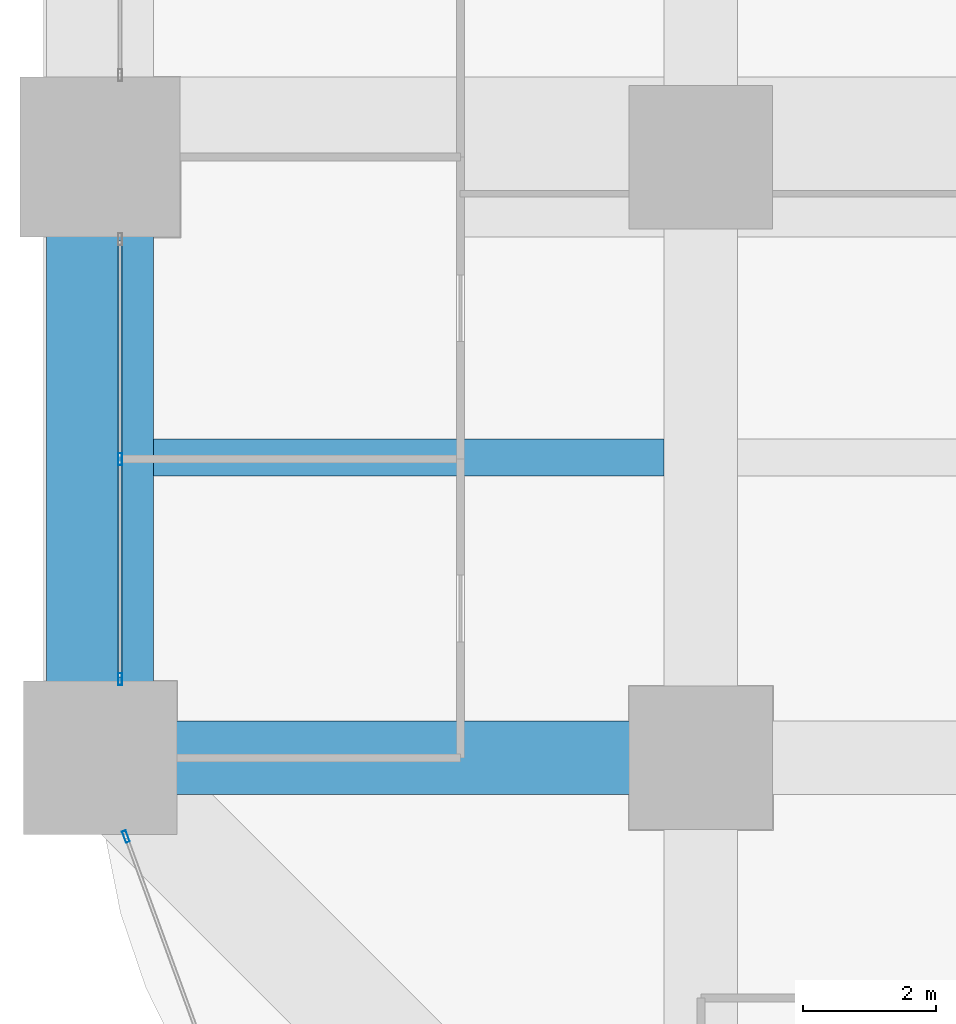
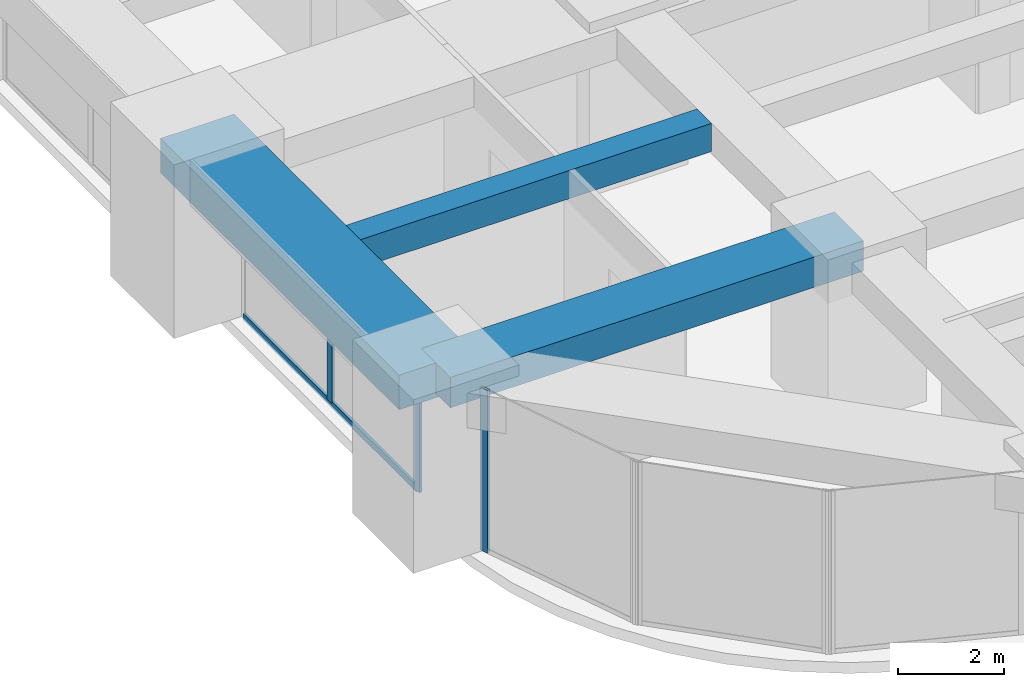
# One storey, part 4 of 45: 4 members, 3 beams, 2 elements without a shape of their own.
"""IFC4 building model written with IfcOpenShell, lengths in metres."""

from ifc_helpers import new_model, si_unit, direction, frame, origin, origin_2d, place, context, subcontext, project, spatial, rectangle, hollow_rectangle, extrude, material, material_profile, profile_set, type_object, element, aggregate, save


model = new_model("IFC4")

# Units and contexts
model_context = context("Model", 3, precision=1e-05, world=origin(), true_north=direction((0.0, 1.0)))
body_context = subcontext(model_context, "Body", "Model", "MODEL_VIEW")
ifc_project = project(units=[si_unit("LENGTHUNIT", "METRE"), si_unit("AREAUNIT", "SQUARE_METRE"), si_unit("VOLUMEUNIT", "CUBIC_METRE"), si_unit("PLANEANGLEUNIT", "RADIAN"), si_unit("MASSUNIT", "GRAM", prefix="KILO")], contexts=[model_context])

# Site, building, storey
site_placement = place(None, origin())
site = spatial("IfcSite", under=ifc_project, at=site_placement, CompositionType="ELEMENT")
building_placement = place(site_placement, origin())
building = spatial("IfcBuilding", under=site, at=building_placement, Name="Zorevar Civic Tower", CompositionType="ELEMENT")
storey_placement = place(building_placement, frame((0.0, 0.0, 71.800048828125)))
storey = spatial("IfcBuildingStorey", under=building, at=storey_placement, Name="L17", CompositionType="ELEMENT", Elevation=71.800048828125)

# Beams
ifc_material_1 = material(Name="Concrete C50/60", Category="concrete")
ifc_material_profile_1 = material_profile(ifc_material_1, rectangle(XDim=1.10009765625, YDim=0.699951171875, at=origin_2d()), Name="RC 1100x700")
ifc_profile_set_1 = profile_set([ifc_material_profile_1], Name="Concrete C50/60")
beam_type_1 = type_object("IfcBeamType", Name="Beam RC 1100x700", PredefinedType="BEAM", material=ifc_profile_set_1)
beam_1_placement = place(storey_placement, frame((0.0, 9.0, 3.39990234375), z_axis=(1.0, 0.0, 0.0), x_axis=(0.0, 1.0, 0.0)))
element("IfcBeam", 1, at=beam_1_placement, inside=storey, type_object=beam_type_1, Name="Girder L18", PredefinedType="BEAM", context=body_context, shape_type="SweptSolid", body=[
    extrude(rectangle(XDim=1.10009765625, YDim=0.699951171875, at=origin_2d()), origin(), (0.0, 0.0, 1.0), 9.0),
])
ifc_material_2 = material(Name="Concrete C50/60", Category="concrete")
ifc_material_profile_2 = material_profile(ifc_material_2, rectangle(XDim=0.550048828125, YDim=0.64990234375, at=origin_2d()), Name="RC 550x650")
ifc_profile_set_2 = profile_set([ifc_material_profile_2], Name="Concrete C50/60")
beam_type_2 = type_object("IfcBeamType", Name="Beam RC 550x650", PredefinedType="BEAM", material=ifc_profile_set_2)
beam_2_placement = place(storey_placement, frame((0.800048828125, 13.5, 3.425048828125), z_axis=(1.0, 0.0, 0.0), x_axis=(0.0, 1.0, 0.0)))
element("IfcBeam", 2, at=beam_2_placement, inside=storey, type_object=beam_type_2, Name="Secondary beam L18", PredefinedType="BEAM", context=body_context, shape_type="SweptSolid", body=[
    extrude(rectangle(XDim=0.550048828125, YDim=0.64990234375, at=origin_2d()), origin(), (0.0, 0.0, 1.0), 7.64990234375),
])

# Curtain wall, members
ifc_material_3 = material(Name="Dark grey solar-control glass in black aluminium frame", Category="aluminium")
curtain_wall_type = type_object("IfcCurtainWallType", Name="Curtain wall CW2 low zone", PredefinedType="NOTDEFINED", material=ifc_material_3)
curtain_wall_1_placement = place(storey_placement, origin())
curtain_wall_1 = element("IfcCurtainWall", 3, at=curtain_wall_1_placement, inside=storey, type_object=curtain_wall_type, Name="CW2 L17", PredefinedType="NOTDEFINED")
ifc_material_4 = material(Name="Aluminium, black anodised", Category="aluminium")
ifc_material_profile_3 = material_profile(ifc_material_4, hollow_rectangle(XDim=0.06005859375, YDim=0.179931640625, WallThickness=0.00390625, at=origin_2d()), Name="AL 180x60x4")
ifc_profile_set_3 = profile_set([ifc_material_profile_3], Name="Aluminium, black anodised")
member_type_1 = type_object("IfcMemberType", Name="CW2 mullion AL 180x60x4", PredefinedType="MULLION", material=ifc_profile_set_3)
member_1_placement = place(storey_placement, frame((0.300048828125, 10.179931640625, 0.0), z_axis=(0.0, 0.0, 1.0), x_axis=(-1.0, 0.0, 0.0)))
member_1 = element("IfcMember", 4, at=member_1_placement, type_object=member_type_1, Name="CW2 mullion 1", PredefinedType="MULLION", context=body_context, shape_type="SweptSolid", body=[
    extrude(hollow_rectangle(XDim=0.06005859375, YDim=0.179931640625, WallThickness=0.00390625, at=origin_2d()), origin(), (0.0, 0.0, 1.0), 2.949951171875),
])
member_2_placement = place(storey_placement, frame((0.300048828125, 13.47509765625, 0.06005859375), z_axis=(0.0, 0.0, 1.0), x_axis=(-1.0, 0.0, 0.0)))
member_2 = element("IfcMember", 5, at=member_2_placement, type_object=member_type_1, Name="CW2 mullion 2", PredefinedType="MULLION", context=body_context, shape_type="SweptSolid", body=[
    extrude(hollow_rectangle(XDim=0.06005859375, YDim=0.179931640625, WallThickness=0.00390625, at=origin_2d()), origin(), (0.0, 0.0, 1.0), 2.889892578125),
])

# Curtain wall, member
curtain_wall_2_placement = place(storey_placement, origin())
curtain_wall_2 = element("IfcCurtainWall", 6, at=curtain_wall_2_placement, inside=storey, type_object=curtain_wall_type, Name="CW2 L17", PredefinedType="NOTDEFINED")
member_3_placement = place(storey_placement, frame((0.38671875, 7.82177734375, 0.0), z_axis=(0.0, 0.0, 1.0), x_axis=(0.939313345732, 0.343060400701, 0.0)))
member_3 = element("IfcMember", 7, at=member_3_placement, type_object=member_type_1, Name="CW2 mullion 1", PredefinedType="MULLION", context=body_context, shape_type="SweptSolid", body=[
    extrude(hollow_rectangle(XDim=0.06005859375, YDim=0.179931640625, WallThickness=0.00390625, at=origin_2d()), origin(), (0.0, 0.0, 1.0), 3.75),
])
aggregate(curtain_wall_2, [member_3])

# Member
ifc_material_5 = material(Name="Aluminium, black anodised", Category="aluminium")
ifc_material_profile_4 = material_profile(ifc_material_5, hollow_rectangle(XDim=0.06005859375, YDim=0.14990234375, WallThickness=0.00390625, at=origin_2d()), Name="AL 150x60x4")
ifc_profile_set_4 = profile_set([ifc_material_profile_4], Name="Aluminium, black anodised")
member_type_2 = type_object("IfcMemberType", Name="CW2 transom AL 150x60x4", PredefinedType="USERDEFINED", material=ifc_profile_set_4)
member_4_placement = place(storey_placement, frame((0.300048828125, 10.2099609375, 0.030029296875), z_axis=(0.0, 1.0, 0.0), x_axis=(-1.0, 0.0, 0.0)))
member_4 = element("IfcMember", 8, at=member_4_placement, type_object=member_type_2, Name="CW2 sill transom", ObjectType="TRANSOM", PredefinedType="USERDEFINED", context=body_context, shape_type="SweptSolid", body=[
    extrude(hollow_rectangle(XDim=0.06005859375, YDim=0.14990234375, WallThickness=0.00390625, at=origin_2d()), origin(), (0.0, 0.0, 1.0), 6.530029296875),
])

aggregate(curtain_wall_1, [member_1, member_2, member_4])

# Beam
ifc_material_6 = material(Name="Concrete C50/60", Category="concrete")
ifc_material_profile_5 = material_profile(ifc_material_6, rectangle(XDim=1.60009765625, YDim=0.800048828125, at=origin_2d()), Name="RC 1600x800")
ifc_profile_set_5 = profile_set([ifc_material_profile_5], Name="Concrete C50/60")
beam_type_3 = type_object("IfcBeamType", Name="Edge beam RC 1600x800", PredefinedType="SPANDREL", material=ifc_profile_set_5)
beam_3_placement = place(storey_placement, frame((0.0, 9.0, 3.349853515625), z_axis=(0.0, 1.0, 0.0), x_axis=(-1.0, 0.0, 0.0)))
element("IfcBeam", 9, at=beam_3_placement, inside=storey, type_object=beam_type_3, Name="Edge beam L18", PredefinedType="SPANDREL", context=body_context, shape_type="SweptSolid", body=[
    extrude(rectangle(XDim=1.60009765625, YDim=0.800048828125, at=origin_2d()), origin(), (0.0, 0.0, 1.0), 9.0),
])

save(model, "model.ifc")
